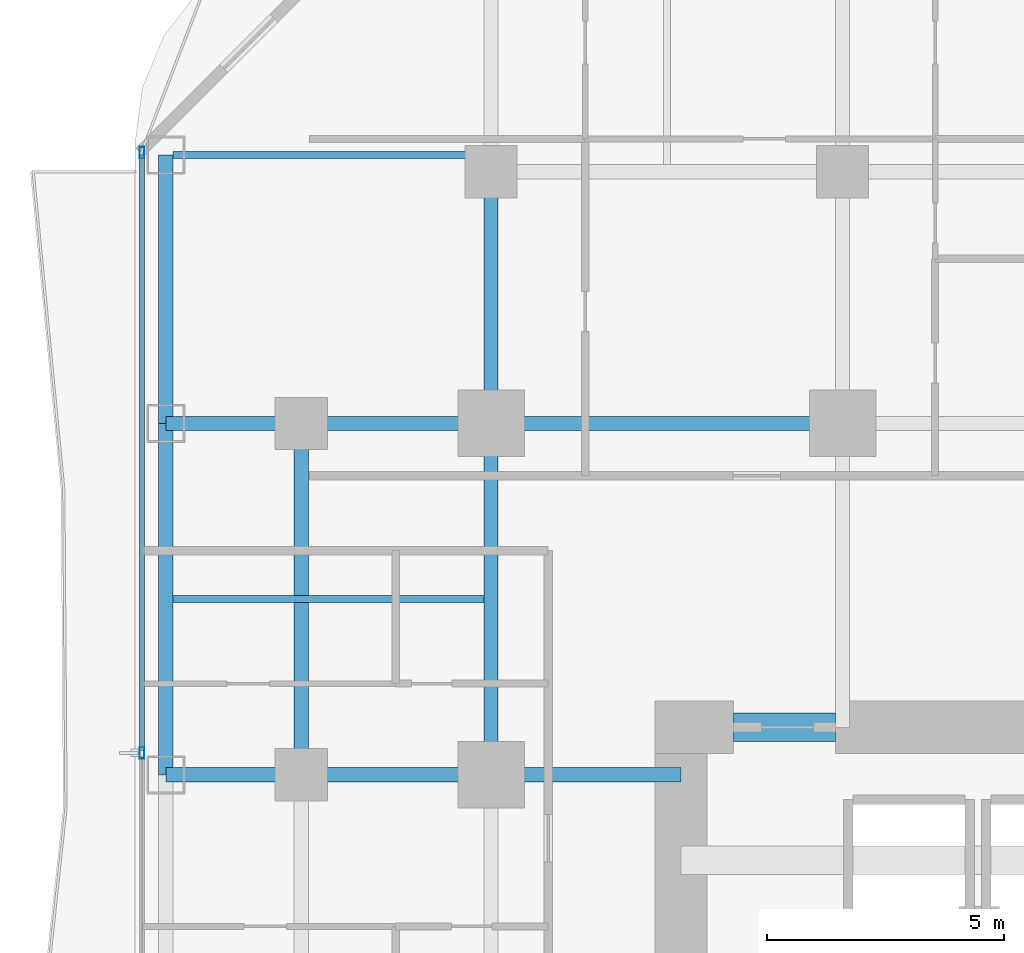
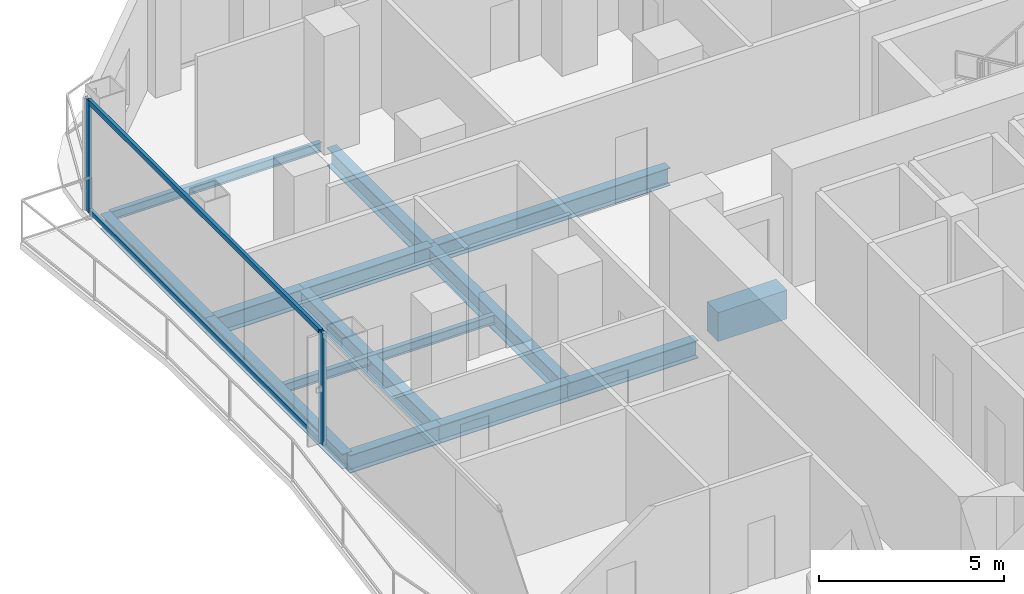
# One storey, part 13 of 30: 14 beams, 4 members, 1 element without a shape of its own.
"""IFC4 building model written with IfcOpenShell, lengths in metres."""

from ifc_helpers import new_model, si_unit, direction, frame, origin, origin_2d, place, context, subcontext, project, spatial, rectangle, hollow_rectangle, i_section, extrude, material, layer, layer_set, material_profile, profile_set, type_object, element, aggregate, save


model = new_model("IFC4")

# Units and contexts
model_context = context("Model", 3, precision=1e-05, world=origin(), true_north=direction((0.0, 1.0)))
body_context = subcontext(model_context, "Body", "Model", "MODEL_VIEW")
ifc_project = project(units=[si_unit("LENGTHUNIT", "METRE"), si_unit("AREAUNIT", "SQUARE_METRE"), si_unit("VOLUMEUNIT", "CUBIC_METRE"), si_unit("PLANEANGLEUNIT", "RADIAN"), si_unit("MASSUNIT", "GRAM", prefix="KILO")], contexts=[model_context])

# Site, building, storey
site_placement = place(None, origin())
site = spatial("IfcSite", under=ifc_project, at=site_placement, CompositionType="ELEMENT")
building_placement = place(site_placement, origin())
building = spatial("IfcBuilding", under=site, at=building_placement, Name="Khorvyn Point Tower", CompositionType="ELEMENT")
storey_placement = place(building_placement, frame((0.0, 0.0, 30.60009765625)))
storey = spatial("IfcBuildingStorey", under=building, at=storey_placement, Name="L08", CompositionType="ELEMENT", Elevation=30.60009765625)

# Curtain wall, members
ifc_material_1 = material(Name="Anodised aluminium 6063-T6 and laminated Low-E glass", Category="aluminium")
ifc_layer = layer(ifc_material_1, 0.18994140625)
ifc_layer_set = layer_set([ifc_layer], Name="Stick-Built Finned Residential Curtain Wall CW-SYS-02")
curtain_wall_type = type_object("IfcCurtainWallType", Name="Stick-Built Finned Residential Curtain Wall CW-SYS-02", PredefinedType="NOTDEFINED", material=ifc_layer_set)
curtain_wall_placement = place(storey_placement, origin())
curtain_wall = element("IfcCurtainWall", 1, at=curtain_wall_placement, inside=storey, type_object=curtain_wall_type, Name="Curtain Wall", PredefinedType="NOTDEFINED")
ifc_material_2 = material(Name="Anodised aluminium 6063-T6", Category="aluminium")
ifc_material_profile_1 = material_profile(ifc_material_2, hollow_rectangle(XDim=0.10009765625, YDim=0.239990234375, WallThickness=0.0048828125, at=origin_2d()))
ifc_profile_set_1 = profile_set([ifc_material_profile_1], Name="Anodised aluminium 6063-T6 ALU-MUL-100x240")
member_type_1 = type_object("IfcMemberType", Name="Anodised Aluminium 6063-T6 Mullion ALU-MUL-100x240", PredefinedType="MULLION", material=ifc_profile_set_1)
member_1_placement = place(storey_placement, frame((-22.14990234375, 7.863037109375, 0.0), z_axis=(0.0, 0.0, 1.0), x_axis=(-1.0, 0.0, 0.0)))
member_1 = element("IfcMember", 2, at=member_1_placement, type_object=member_type_1, Name="Transom", PredefinedType="MULLION", context=body_context, shape_type="SweptSolid", body=[
    extrude(hollow_rectangle(XDim=0.10009765625, YDim=0.239990234375, WallThickness=0.0048828125, at=origin_2d()), origin(), (0.0, 0.0, 1.0), 3.679931640625),
])
member_2_placement = place(storey_placement, frame((-22.14990234375, 20.5, 0.0), z_axis=(0.0, 0.0, 1.0), x_axis=(-1.0, 0.0, 0.0)))
member_2 = element("IfcMember", 3, at=member_2_placement, type_object=member_type_1, Name="Transom", PredefinedType="MULLION", context=body_context, shape_type="SweptSolid", body=[
    extrude(hollow_rectangle(XDim=0.10009765625, YDim=0.239990234375, WallThickness=0.0048828125, at=origin_2d()), origin(), (0.0, 0.0, 1.0), 3.679931640625),
])
ifc_material_profile_2 = material_profile(ifc_material_2, hollow_rectangle(XDim=0.10009765625, YDim=0.159912109375, WallThickness=0.00439453125, at=origin_2d()))
ifc_profile_set_2 = profile_set([ifc_material_profile_2], Name="Anodised aluminium 6063-T6 ALU-TRN-100x160")
member_type_2 = type_object("IfcMemberType", Name="Anodised Aluminium 6063-T6 Transom ALU-TRN-100x160", PredefinedType="USERDEFINED", material=ifc_profile_set_2)
member_3_placement = place(storey_placement, frame((-22.14990234375, 7.9130859375, 0.0498046875), z_axis=(0.0, 1.0, 0.0), x_axis=(-1.0, 0.0, 0.0)))
member_3 = element("IfcMember", 4, at=member_3_placement, type_object=member_type_2, Name="Transom", ObjectType="TRANSOM", PredefinedType="USERDEFINED", context=body_context, shape_type="SweptSolid", body=[
    extrude(hollow_rectangle(XDim=0.10009765625, YDim=0.159912109375, WallThickness=0.00439453125, at=origin_2d()), origin(), (0.0, 0.0, 1.0), 12.536865234375),
])
member_4_placement = place(storey_placement, frame((-22.14990234375, 7.9130859375, 3.6298828125), z_axis=(0.0, 1.0, 0.0), x_axis=(-1.0, 0.0, 0.0)))
member_4 = element("IfcMember", 5, at=member_4_placement, type_object=member_type_2, Name="Transom", ObjectType="TRANSOM", PredefinedType="USERDEFINED", context=body_context, shape_type="SweptSolid", body=[
    extrude(hollow_rectangle(XDim=0.10009765625, YDim=0.159912109375, WallThickness=0.00439453125, at=origin_2d()), origin(), (0.0, 0.0, 1.0), 12.536865234375),
])
aggregate(curtain_wall, [member_1, member_2, member_3, member_4])

# Beams
ifc_material_3 = material(Name="Concrete C50/60", Category="concrete")
ifc_material_profile_3 = material_profile(ifc_material_3, rectangle(XDim=0.60009765625, YDim=0.949951171875, at=origin_2d()))
ifc_profile_set_3 = profile_set([ifc_material_profile_3], Name="Concrete C50/60 RC600x950")
beam_type_1 = type_object("IfcBeamType", Name="Concrete C50/60 Beam RC600x950", PredefinedType="BEAM", material=ifc_profile_set_3)
beam_1_placement = place(storey_placement, frame((-9.699951171875, 8.39990234375, -0.695068359375), z_axis=(1.0, 0.0, 0.0), x_axis=(0.0, 1.0, 0.0)))
element("IfcBeam", 6, at=beam_1_placement, inside=storey, type_object=beam_type_1, Name="L08 Core Northwest Portal Coupling Beam", PredefinedType="BEAM", context=body_context, shape_type="SweptSolid", body=[
    extrude(rectangle(XDim=0.60009765625, YDim=0.949951171875, at=origin_2d()), origin(), (0.0, 0.0, 1.0), 2.14990234375),
])
ifc_material_4 = material(Name="Steel S355", Category="steel")
ifc_material_profile_4 = material_profile(ifc_material_4, i_section(OverallWidth=0.300048828125, OverallDepth=0.587890625, WebThickness=0.011962890625, FlangeThickness=0.02001953125, at=origin_2d()))
ifc_profile_set_4 = profile_set([ifc_material_profile_4], Name="Steel S355 H588x300x12x20")
beam_type_2 = type_object("IfcBeamType", Name="Steel S355 Beam H588x300x12x20", PredefinedType="BEAM", material=ifc_profile_set_4)
beam_2_placement = place(storey_placement, frame((-21.64990234375, 14.800048828125, -0.51416015625), z_axis=(1.0, 0.0, 0.0), x_axis=(0.0, 1.0, 0.0)))
element("IfcBeam", 7, at=beam_2_placement, inside=storey, type_object=beam_type_2, Name="Beam", PredefinedType="BEAM", context=body_context, shape_type="SweptSolid", body=[
    extrude(i_section(OverallWidth=0.300048828125, OverallDepth=0.587890625, WebThickness=0.011962890625, FlangeThickness=0.02001953125, at=origin_2d()), origin(), (0.0, 0.0, 1.0), 2.849853515625),
])
beam_3_placement = place(storey_placement, frame((-18.800048828125, 14.800048828125, -0.51416015625), z_axis=(1.0, 0.0, 0.0), x_axis=(0.0, 1.0, 0.0)))
element("IfcBeam", 8, at=beam_3_placement, inside=storey, type_object=beam_type_2, Name="Beam", PredefinedType="BEAM", context=body_context, shape_type="SweptSolid", body=[
    extrude(i_section(OverallWidth=0.300048828125, OverallDepth=0.587890625, WebThickness=0.011962890625, FlangeThickness=0.02001953125, at=origin_2d()), origin(), (0.0, 0.0, 1.0), 4.0),
])
beam_4_placement = place(storey_placement, frame((-14.800048828125, 14.800048828125, -0.51416015625), z_axis=(1.0, 0.0, 0.0), x_axis=(0.0, 1.0, 0.0)))
element("IfcBeam", 9, at=beam_4_placement, inside=storey, type_object=beam_type_2, Name="Beam", PredefinedType="BEAM", context=body_context, shape_type="SweptSolid", body=[
    extrude(i_section(OverallWidth=0.300048828125, OverallDepth=0.587890625, WebThickness=0.011962890625, FlangeThickness=0.02001953125, at=origin_2d()), origin(), (0.0, 0.0, 1.0), 7.400146484375),
])
beam_5_placement = place(storey_placement, frame((-21.64990234375, 7.39990234375, -0.51416015625), z_axis=(1.0, 0.0, 0.0), x_axis=(0.0, 1.0, 0.0)))
element("IfcBeam", 10, at=beam_5_placement, inside=storey, type_object=beam_type_2, Name="Beam", PredefinedType="BEAM", context=body_context, shape_type="SweptSolid", body=[
    extrude(i_section(OverallWidth=0.300048828125, OverallDepth=0.587890625, WebThickness=0.011962890625, FlangeThickness=0.02001953125, at=origin_2d()), origin(), (0.0, 0.0, 1.0), 2.849853515625),
])
for number, where, z_axis, x_axis, name in (
    (11, (-18.800048828125, 7.39990234375, -0.51416015625), (1.0, 0.0, 0.0), (0.0, 1.0, 0.0), "Beam"),
    (12, (-14.800048828125, 7.39990234375, -0.51416015625), (1.0, 0.0, 0.0), (0.0, 1.0, 0.0), "Beam"),
):
    element("IfcBeam", number, at=place(storey_placement, frame(where, z_axis=z_axis, x_axis=x_axis)), inside=storey, type_object=beam_type_2, Name=name, PredefinedType="BEAM", context=body_context, shape_type="SweptSolid", body=[
        extrude(i_section(OverallWidth=0.300048828125, OverallDepth=0.587890625, WebThickness=0.011962890625, FlangeThickness=0.02001953125, at=origin_2d()), origin(), (0.0, 0.0, 1.0), 4.0),
    ])
beam_6_placement = place(storey_placement, frame((-14.800048828125, 7.39990234375, -0.51416015625), z_axis=(0.0, 1.0, 0.0), x_axis=(-1.0, 0.0, 0.0)))
element("IfcBeam", 13, at=beam_6_placement, inside=storey, type_object=beam_type_2, Name="Beam", PredefinedType="BEAM", context=body_context, shape_type="SweptSolid", body=[
    extrude(i_section(OverallWidth=0.300048828125, OverallDepth=0.587890625, WebThickness=0.011962890625, FlangeThickness=0.02001953125, at=origin_2d()), origin(), (0.0, 0.0, 1.0), 7.400146484375),
])
beam_7_placement = place(storey_placement, frame((-14.800048828125, 14.800048828125, -0.51416015625), z_axis=(0.0, 1.0, 0.0), x_axis=(-1.0, 0.0, 0.0)))
element("IfcBeam", 14, at=beam_7_placement, inside=storey, type_object=beam_type_2, Name="Beam", PredefinedType="BEAM", context=body_context, shape_type="SweptSolid", body=[
    extrude(i_section(OverallWidth=0.300048828125, OverallDepth=0.587890625, WebThickness=0.011962890625, FlangeThickness=0.02001953125, at=origin_2d()), origin(), (0.0, 0.0, 1.0), 5.300048828125),
])
beam_8_placement = place(storey_placement, frame((-18.800048828125, 7.39990234375, -0.51416015625), z_axis=(0.0, 1.0, 0.0), x_axis=(-1.0, 0.0, 0.0)))
element("IfcBeam", 15, at=beam_8_placement, inside=storey, type_object=beam_type_2, Name="Beam", PredefinedType="BEAM", context=body_context, shape_type="SweptSolid", body=[
    extrude(i_section(OverallWidth=0.300048828125, OverallDepth=0.587890625, WebThickness=0.011962890625, FlangeThickness=0.02001953125, at=origin_2d()), origin(), (0.0, 0.0, 1.0), 7.400146484375),
])
ifc_material_profile_5 = material_profile(ifc_material_4, i_section(OverallWidth=0.14990234375, OverallDepth=0.300048828125, WebThickness=0.006591796875, FlangeThickness=0.009033203125, at=origin_2d()))
ifc_profile_set_5 = profile_set([ifc_material_profile_5], Name="Steel S355 H300x150x6.5x9")
beam_type_3 = type_object("IfcBeamType", Name="Steel S355 Joist H300x150x6.5x9", PredefinedType="JOIST", material=ifc_profile_set_5)
for number, where, z_axis, x_axis, name in (
    (16, (-21.5, 11.10009765625, -0.3701171875), (1.0, 0.0, 0.0), (0.0, 1.0, 0.0), "Beam"),
    (17, (-21.5, 20.449951171875, -0.3701171875), (1.0, 0.0, 0.0), (0.0, 1.0, 0.0), "Beam"),
):
    element("IfcBeam", number, at=place(storey_placement, frame(where, z_axis=z_axis, x_axis=x_axis)), inside=storey, type_object=beam_type_3, Name=name, PredefinedType="JOIST", context=body_context, shape_type="SweptSolid", body=[
        extrude(i_section(OverallWidth=0.14990234375, OverallDepth=0.300048828125, WebThickness=0.006591796875, FlangeThickness=0.009033203125, at=origin_2d()), origin(), (0.0, 0.0, 1.0), 6.550048828125),
    ])
ifc_material_profile_6 = material_profile(ifc_material_4, i_section(OverallWidth=0.300048828125, OverallDepth=0.488037109375, WebThickness=0.010986328125, FlangeThickness=0.01806640625, at=origin_2d()))
ifc_profile_set_6 = profile_set([ifc_material_profile_6], Name="Steel S355 H488x300x11x18")
beam_type_4 = type_object("IfcBeamType", Name="Steel S355 Spandrel H488x300x11x18", PredefinedType="SPANDREL", material=ifc_profile_set_6)
beam_9_placement = place(storey_placement, frame((-21.64990234375, 7.39990234375, -0.464111328125), z_axis=(0.0, 1.0, 0.0), x_axis=(-1.0, 0.0, 0.0)))
element("IfcBeam", 18, at=beam_9_placement, inside=storey, type_object=beam_type_4, Name="Beam", PredefinedType="SPANDREL", context=body_context, shape_type="SweptSolid", body=[
    extrude(i_section(OverallWidth=0.300048828125, OverallDepth=0.488037109375, WebThickness=0.010986328125, FlangeThickness=0.01806640625, at=origin_2d()), origin(), (0.0, 0.0, 1.0), 7.400146484375),
])
beam_10_placement = place(storey_placement, frame((-21.64990234375, 14.800048828125, -0.464111328125), z_axis=(0.0, 1.0, 0.0), x_axis=(-1.0, 0.0, 0.0)))
element("IfcBeam", 19, at=beam_10_placement, inside=storey, type_object=beam_type_4, Name="Beam", PredefinedType="SPANDREL", context=body_context, shape_type="SweptSolid", body=[
    extrude(i_section(OverallWidth=0.300048828125, OverallDepth=0.488037109375, WebThickness=0.010986328125, FlangeThickness=0.01806640625, at=origin_2d()), origin(), (0.0, 0.0, 1.0), 5.64990234375),
])

save(model, "model.ifc")
